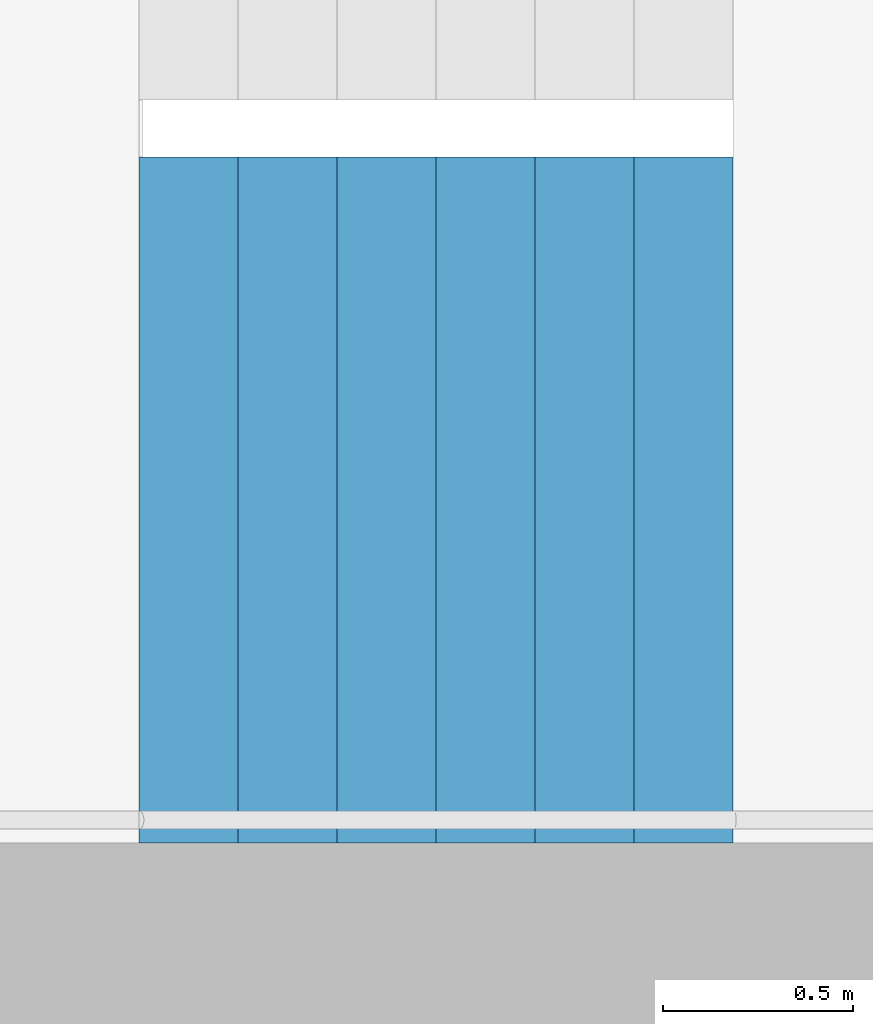
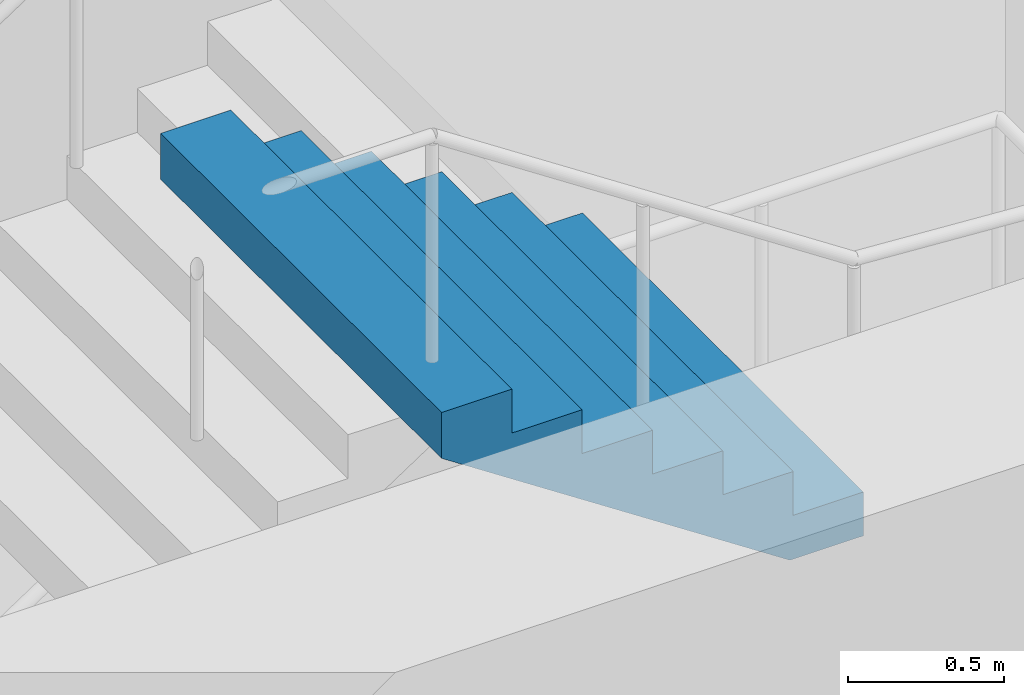
# One storey, part 36 of 53: 1 stair flight, 1 element without a shape of its own.
"""IFC4 building model written with IfcOpenShell, lengths in metres."""

from ifc_helpers import new_model, si_unit, direction, frame, origin, place, context, subcontext, project, spatial, triangles, material, type_object, element, aggregate, save


model = new_model("IFC4")

# Units and contexts
model_context = context("Model", 3, precision=1e-05, world=origin(), true_north=direction((0.0, 1.0)))
body_context = subcontext(model_context, "Body", "Model", "MODEL_VIEW")
ifc_project = project(units=[si_unit("LENGTHUNIT", "METRE"), si_unit("AREAUNIT", "SQUARE_METRE"), si_unit("VOLUMEUNIT", "CUBIC_METRE"), si_unit("PLANEANGLEUNIT", "RADIAN"), si_unit("MASSUNIT", "GRAM", prefix="KILO")], contexts=[model_context])

# Site, building, storey
site_placement = place(None, origin())
site = spatial("IfcSite", under=ifc_project, at=site_placement, CompositionType="ELEMENT")
building_placement = place(site_placement, origin())
building = spatial("IfcBuilding", under=site, at=building_placement, Name="Hakoniwa Tower and Hamabe Station Hall", CompositionType="ELEMENT")
storey_placement = place(building_placement, frame((0.0, 0.0, 15.0)))
storey = spatial("IfcBuildingStorey", under=building, at=storey_placement, Name="L03", CompositionType="ELEMENT", Elevation=15.0)

# Stair, stair flight
ifc_material_1 = material(Name="Concrete C40", Category="concrete")
stair_type = type_object("IfcStairType", Name="ESCAPE STAIR 1800", PredefinedType="HALF_TURN_STAIR", material=ifc_material_1)
stair_placement = place(storey_placement, origin())
stair = element("IfcStair", 1, at=stair_placement, inside=storey, type_object=stair_type, Name="Escape stair ST-4 L03", PredefinedType="HALF_TURN_STAIR")
ifc_material_2 = material(Name="Concrete C40", Category="concrete")
stair_flight_type = type_object("IfcStairFlightType", Name="STAIR FLIGHT 1800", PredefinedType="STRAIGHT", material=ifc_material_2)
stair_flight_placement = place(storey_placement, frame((24.9599609375, -6.60009765625, 3.60009765625), z_axis=(0.0, 0.0, 1.0), x_axis=(-1.0, 0.0, 0.0)))
stair_flight = element("IfcStairFlight", 2, at=stair_flight_placement, type_object=stair_flight_type, Name="ST-4 flight 4", NumberOfRisers=7, NumberOfTreads=6, PredefinedType="STRAIGHT", RiserHeight=0.171428571, TreadLength=0.26, context=body_context, shape_type="Tessellation", body=[
    triangles([(0.0, 0.89990234375, 0.0), (0.260009765625, 0.89990234375, 0.0), (0.272216796875, 0.89990234375, 0.0), (0.52001953125, 0.89990234375, 0.163330078125), (0.780029296875, 0.89990234375, 0.334716796875), (1.0400390625, 0.89990234375, 0.506103515625), (1.300048828125, 0.89990234375, 0.677490234375), (1.56005859375, 0.89990234375, 0.84912109375), (1.56005859375, 0.89990234375, 1.028564453125), (1.300048828125, 0.89990234375, 1.028564453125), (1.300048828125, 0.89990234375, 0.857177734375), (1.0400390625, 0.89990234375, 0.857177734375), (1.0400390625, 0.89990234375, 0.685791015625), (0.780029296875, 0.89990234375, 0.685791015625), (0.780029296875, 0.89990234375, 0.514404296875), (0.52001953125, 0.89990234375, 0.514404296875), (0.52001953125, 0.89990234375, 0.3427734375), (0.272216796875, 0.89990234375, 0.3427734375), (0.260009765625, 0.89990234375, 0.3427734375), (0.260009765625, 0.89990234375, 0.17138671875), (0.0, 0.89990234375, 0.17138671875), (0.0, 0.06005859375, 0.0), (0.260009765625, 0.06005859375, 0.0), (0.272216796875, 0.06005859375, 0.0), (0.52001953125, 0.06005859375, 0.163330078125), (0.780029296875, 0.06005859375, 0.334716796875), (1.0400390625, 0.06005859375, 0.506103515625), (1.300048828125, 0.06005859375, 0.677490234375), (1.56005859375, 0.06005859375, 0.84912109375), (1.56005859375, 0.06005859375, 1.028564453125), (1.300048828125, 0.06005859375, 1.028564453125), (1.300048828125, 0.06005859375, 0.857177734375), (1.0400390625, 0.06005859375, 0.857177734375), (1.0400390625, 0.06005859375, 0.685791015625), (0.780029296875, 0.06005859375, 0.685791015625), (0.780029296875, 0.06005859375, 0.514404296875), (0.52001953125, 0.06005859375, 0.514404296875), (0.52001953125, 0.06005859375, 0.3427734375), (0.272216796875, 0.06005859375, 0.3427734375), (0.260009765625, 0.06005859375, 0.3427734375), (0.260009765625, 0.06005859375, 0.17138671875), (0.0, 0.06005859375, 0.17138671875), (0.0, 0.049072265625, 0.0), (0.260009765625, 0.049072265625, 0.0), (0.272216796875, 0.049072265625, 0.0), (0.52001953125, 0.049072265625, 0.163330078125), (0.780029296875, 0.049072265625, 0.334716796875), (1.0400390625, 0.049072265625, 0.506103515625), (1.300048828125, 0.049072265625, 0.677490234375), (1.56005859375, 0.049072265625, 0.84912109375), (1.56005859375, 0.049072265625, 1.028564453125), (1.300048828125, 0.049072265625, 1.028564453125), (1.300048828125, 0.049072265625, 0.857177734375), (1.0400390625, 0.049072265625, 0.857177734375), (1.0400390625, 0.049072265625, 0.685791015625), (0.780029296875, 0.049072265625, 0.685791015625), (0.780029296875, 0.049072265625, 0.514404296875), (0.52001953125, 0.049072265625, 0.514404296875), (0.52001953125, 0.049072265625, 0.3427734375), (0.272216796875, 0.049072265625, 0.3427734375), (0.260009765625, 0.049072265625, 0.3427734375), (0.260009765625, 0.049072265625, 0.17138671875), (0.0, 0.049072265625, 0.17138671875), (0.0, 0.0380859375, 0.0), (0.260009765625, 0.0380859375, 0.0), (0.272216796875, 0.0380859375, 0.0), (0.52001953125, 0.0380859375, 0.163330078125), (0.780029296875, 0.0380859375, 0.334716796875), (1.0400390625, 0.0380859375, 0.506103515625), (1.300048828125, 0.0380859375, 0.677490234375), (1.56005859375, 0.0380859375, 0.84912109375), (1.56005859375, 0.0380859375, 1.028564453125), (1.300048828125, 0.0380859375, 1.028564453125), (1.300048828125, 0.0380859375, 0.857177734375), (1.0400390625, 0.0380859375, 0.857177734375), (1.0400390625, 0.0380859375, 0.685791015625), (0.780029296875, 0.0380859375, 0.685791015625), (0.780029296875, 0.0380859375, 0.514404296875), (0.52001953125, 0.0380859375, 0.514404296875), (0.52001953125, 0.0380859375, 0.3427734375), (0.272216796875, 0.0380859375, 0.3427734375), (0.260009765625, 0.0380859375, 0.3427734375), (0.260009765625, 0.0380859375, 0.17138671875), (0.0, 0.0380859375, 0.17138671875), (0.0, 0.02734375, 0.0), (0.260009765625, 0.02734375, 0.0), (0.272216796875, 0.02734375, 0.0), (0.52001953125, 0.02734375, 0.163330078125), (0.780029296875, 0.02734375, 0.334716796875), (1.0400390625, 0.02734375, 0.506103515625), (1.300048828125, 0.02734375, 0.677490234375), (1.56005859375, 0.02734375, 0.84912109375), (1.56005859375, 0.02734375, 1.028564453125), (1.300048828125, 0.02734375, 1.028564453125), (1.300048828125, 0.02734375, 0.857177734375), (1.0400390625, 0.02734375, 0.857177734375), (1.0400390625, 0.02734375, 0.685791015625), (0.780029296875, 0.02734375, 0.685791015625), (0.780029296875, 0.02734375, 0.514404296875), (0.52001953125, 0.02734375, 0.514404296875), (0.52001953125, 0.02734375, 0.3427734375), (0.272216796875, 0.02734375, 0.3427734375), (0.260009765625, 0.02734375, 0.3427734375), (0.260009765625, 0.02734375, 0.17138671875), (0.0, 0.02734375, 0.17138671875), (0.0, 0.016357421875, 0.0), (0.260009765625, 0.016357421875, 0.0), (0.272216796875, 0.016357421875, 0.0), (0.52001953125, 0.016357421875, 0.163330078125), (0.780029296875, 0.016357421875, 0.334716796875), (1.0400390625, 0.016357421875, 0.506103515625), (1.300048828125, 0.016357421875, 0.677490234375), (1.56005859375, 0.016357421875, 0.84912109375), (1.56005859375, 0.016357421875, 1.028564453125), (1.300048828125, 0.016357421875, 1.028564453125), (1.300048828125, 0.016357421875, 0.857177734375), (1.0400390625, 0.016357421875, 0.857177734375), (1.0400390625, 0.016357421875, 0.685791015625), (0.780029296875, 0.016357421875, 0.685791015625), (0.780029296875, 0.016357421875, 0.514404296875), (0.52001953125, 0.016357421875, 0.514404296875), (0.52001953125, 0.016357421875, 0.3427734375), (0.272216796875, 0.016357421875, 0.3427734375), (0.260009765625, 0.016357421875, 0.3427734375), (0.260009765625, 0.016357421875, 0.17138671875), (0.0, 0.016357421875, 0.17138671875), (0.0, 0.00537109375, 0.0), (0.260009765625, 0.00537109375, 0.0), (0.272216796875, 0.00537109375, 0.0), (0.52001953125, 0.00537109375, 0.163330078125), (0.780029296875, 0.00537109375, 0.334716796875), (1.0400390625, 0.00537109375, 0.506103515625), (1.300048828125, 0.00537109375, 0.677490234375), (1.56005859375, 0.00537109375, 0.84912109375), (1.56005859375, 0.00537109375, 1.028564453125), (1.300048828125, 0.00537109375, 1.028564453125), (1.300048828125, 0.00537109375, 0.857177734375), (1.0400390625, 0.00537109375, 0.857177734375), (1.0400390625, 0.00537109375, 0.685791015625), (0.780029296875, 0.00537109375, 0.685791015625), (0.780029296875, 0.00537109375, 0.514404296875), (0.52001953125, 0.00537109375, 0.514404296875), (0.52001953125, 0.00537109375, 0.3427734375), (0.272216796875, 0.00537109375, 0.3427734375), (0.260009765625, 0.00537109375, 0.3427734375), (0.260009765625, 0.00537109375, 0.17138671875), (0.0, 0.00537109375, 0.17138671875), (0.0, -0.00537109375, 0.0), (0.260009765625, -0.00537109375, 0.0), (0.272216796875, -0.00537109375, 0.0), (0.52001953125, -0.00537109375, 0.163330078125), (0.780029296875, -0.00537109375, 0.334716796875), (1.0400390625, -0.00537109375, 0.506103515625), (1.300048828125, -0.00537109375, 0.677490234375), (1.56005859375, -0.00537109375, 0.84912109375), (1.56005859375, -0.00537109375, 1.028564453125), (1.300048828125, -0.00537109375, 1.028564453125), (1.300048828125, -0.00537109375, 0.857177734375), (1.0400390625, -0.00537109375, 0.857177734375), (1.0400390625, -0.00537109375, 0.685791015625), (0.780029296875, -0.00537109375, 0.685791015625), (0.780029296875, -0.00537109375, 0.514404296875), (0.52001953125, -0.00537109375, 0.514404296875), (0.52001953125, -0.00537109375, 0.3427734375), (0.272216796875, -0.00537109375, 0.3427734375), (0.260009765625, -0.00537109375, 0.3427734375), (0.260009765625, -0.00537109375, 0.17138671875), (0.0, -0.00537109375, 0.17138671875), (0.0, -0.016357421875, 0.0), (0.260009765625, -0.016357421875, 0.0), (0.272216796875, -0.016357421875, 0.0), (0.52001953125, -0.016357421875, 0.163330078125), (0.780029296875, -0.016357421875, 0.334716796875), (1.0400390625, -0.016357421875, 0.506103515625), (1.300048828125, -0.016357421875, 0.677490234375), (1.56005859375, -0.016357421875, 0.84912109375), (1.56005859375, -0.016357421875, 1.028564453125), (1.300048828125, -0.016357421875, 1.028564453125), (1.300048828125, -0.016357421875, 0.857177734375), (1.0400390625, -0.016357421875, 0.857177734375), (1.0400390625, -0.016357421875, 0.685791015625), (0.780029296875, -0.016357421875, 0.685791015625), (0.780029296875, -0.016357421875, 0.514404296875), (0.52001953125, -0.016357421875, 0.514404296875), (0.52001953125, -0.016357421875, 0.3427734375), (0.272216796875, -0.016357421875, 0.3427734375), (0.260009765625, -0.016357421875, 0.3427734375), (0.260009765625, -0.016357421875, 0.17138671875), (0.0, -0.016357421875, 0.17138671875), (0.0, -0.02734375, 0.0), (0.260009765625, -0.02734375, 0.0), (0.272216796875, -0.02734375, 0.0), (0.52001953125, -0.02734375, 0.163330078125), (0.780029296875, -0.02734375, 0.334716796875), (1.0400390625, -0.02734375, 0.506103515625), (1.300048828125, -0.02734375, 0.677490234375), (1.56005859375, -0.02734375, 0.84912109375), (1.56005859375, -0.02734375, 1.028564453125), (1.300048828125, -0.02734375, 1.028564453125), (1.300048828125, -0.02734375, 0.857177734375), (1.0400390625, -0.02734375, 0.857177734375), (1.0400390625, -0.02734375, 0.685791015625), (0.780029296875, -0.02734375, 0.685791015625), (0.780029296875, -0.02734375, 0.514404296875), (0.52001953125, -0.02734375, 0.514404296875), (0.52001953125, -0.02734375, 0.3427734375), (0.272216796875, -0.02734375, 0.3427734375), (0.260009765625, -0.02734375, 0.3427734375), (0.260009765625, -0.02734375, 0.17138671875), (0.0, -0.02734375, 0.17138671875), (0.0, -0.0380859375, 0.0), (0.260009765625, -0.0380859375, 0.0), (0.272216796875, -0.0380859375, 0.0), (0.52001953125, -0.0380859375, 0.163330078125), (0.780029296875, -0.0380859375, 0.334716796875), (1.0400390625, -0.0380859375, 0.506103515625), (1.300048828125, -0.0380859375, 0.677490234375), (1.56005859375, -0.0380859375, 0.84912109375), (1.56005859375, -0.0380859375, 1.028564453125), (1.300048828125, -0.0380859375, 1.028564453125), (1.300048828125, -0.0380859375, 0.857177734375), (1.0400390625, -0.0380859375, 0.857177734375), (1.0400390625, -0.0380859375, 0.685791015625), (0.780029296875, -0.0380859375, 0.685791015625), (0.780029296875, -0.0380859375, 0.514404296875), (0.52001953125, -0.0380859375, 0.514404296875), (0.52001953125, -0.0380859375, 0.3427734375), (0.272216796875, -0.0380859375, 0.3427734375), (0.260009765625, -0.0380859375, 0.3427734375), (0.260009765625, -0.0380859375, 0.17138671875), (0.0, -0.0380859375, 0.17138671875), (0.0, -0.049072265625, 0.0), (0.260009765625, -0.049072265625, 0.0), (0.272216796875, -0.049072265625, 0.0), (0.52001953125, -0.049072265625, 0.163330078125), (0.780029296875, -0.049072265625, 0.334716796875), (1.0400390625, -0.049072265625, 0.506103515625), (1.300048828125, -0.049072265625, 0.677490234375), (1.56005859375, -0.049072265625, 0.84912109375), (1.56005859375, -0.049072265625, 1.028564453125), (1.300048828125, -0.049072265625, 1.028564453125), (1.300048828125, -0.049072265625, 0.857177734375), (1.0400390625, -0.049072265625, 0.857177734375), (1.0400390625, -0.049072265625, 0.685791015625), (0.780029296875, -0.049072265625, 0.685791015625), (0.780029296875, -0.049072265625, 0.514404296875), (0.52001953125, -0.049072265625, 0.514404296875), (0.52001953125, -0.049072265625, 0.3427734375), (0.272216796875, -0.049072265625, 0.3427734375), (0.260009765625, -0.049072265625, 0.3427734375), (0.260009765625, -0.049072265625, 0.17138671875), (0.0, -0.049072265625, 0.17138671875), (0.0, -0.06005859375, 0.0), (0.260009765625, -0.06005859375, 0.0), (0.272216796875, -0.06005859375, 0.0), (0.52001953125, -0.06005859375, 0.163330078125), (0.780029296875, -0.06005859375, 0.334716796875), (1.0400390625, -0.06005859375, 0.506103515625), (1.300048828125, -0.06005859375, 0.677490234375), (1.56005859375, -0.06005859375, 0.84912109375), (1.56005859375, -0.06005859375, 1.028564453125), (1.300048828125, -0.06005859375, 1.028564453125), (1.300048828125, -0.06005859375, 0.857177734375), (1.0400390625, -0.06005859375, 0.857177734375), (1.0400390625, -0.06005859375, 0.685791015625), (0.780029296875, -0.06005859375, 0.685791015625), (0.780029296875, -0.06005859375, 0.514404296875), (0.52001953125, -0.06005859375, 0.514404296875), (0.52001953125, -0.06005859375, 0.3427734375), (0.272216796875, -0.06005859375, 0.3427734375), (0.260009765625, -0.06005859375, 0.3427734375), (0.260009765625, -0.06005859375, 0.17138671875), (0.0, -0.06005859375, 0.17138671875), (0.0, -0.89990234375, 0.0), (0.260009765625, -0.89990234375, 0.0), (0.272216796875, -0.89990234375, 0.0), (0.52001953125, -0.89990234375, 0.163330078125), (0.780029296875, -0.89990234375, 0.334716796875), (1.0400390625, -0.89990234375, 0.506103515625), (1.300048828125, -0.89990234375, 0.677490234375), (1.56005859375, -0.89990234375, 0.84912109375), (1.56005859375, -0.89990234375, 1.028564453125), (1.300048828125, -0.89990234375, 1.028564453125), (1.300048828125, -0.89990234375, 0.857177734375), (1.0400390625, -0.89990234375, 0.857177734375), (1.0400390625, -0.89990234375, 0.685791015625), (0.780029296875, -0.89990234375, 0.685791015625), (0.780029296875, -0.89990234375, 0.514404296875), (0.52001953125, -0.89990234375, 0.514404296875), (0.52001953125, -0.89990234375, 0.3427734375), (0.272216796875, -0.89990234375, 0.3427734375), (0.260009765625, -0.89990234375, 0.3427734375), (0.260009765625, -0.89990234375, 0.17138671875), (0.0, -0.89990234375, 0.17138671875)], [[2, 21, 20], [275, 293, 294], [2, 1, 21], [275, 294, 274], [3, 19, 18], [276, 291, 292], [3, 20, 19], [276, 292, 293], [3, 2, 20], [276, 293, 275], [4, 18, 17], [277, 290, 291], [4, 3, 18], [277, 291, 276], [5, 16, 15], [278, 288, 289], [5, 17, 16], [278, 289, 290], [5, 4, 17], [278, 290, 277], [6, 14, 13], [279, 286, 287], [6, 15, 14], [279, 287, 288], [6, 5, 15], [279, 288, 278], [7, 12, 11], [280, 284, 285], [7, 13, 12], [280, 285, 286], [7, 6, 13], [280, 286, 279], [8, 10, 9], [281, 282, 283], [8, 11, 10], [281, 283, 284], [8, 7, 11], [281, 284, 280], [1, 2, 23], [1, 23, 22], [22, 23, 44], [22, 44, 43], [43, 44, 65], [43, 65, 64], [64, 65, 86], [64, 86, 85], [85, 86, 107], [85, 107, 106], [106, 107, 128], [106, 128, 127], [127, 128, 149], [127, 149, 148], [148, 149, 170], [148, 170, 169], [169, 170, 191], [169, 191, 190], [190, 191, 212], [190, 212, 211], [211, 212, 233], [211, 233, 232], [232, 233, 254], [232, 254, 253], [253, 254, 275], [253, 275, 274], [2, 3, 24], [2, 24, 23], [23, 24, 45], [23, 45, 44], [44, 45, 66], [44, 66, 65], [65, 66, 87], [65, 87, 86], [86, 87, 108], [86, 108, 107], [107, 108, 129], [107, 129, 128], [128, 129, 150], [128, 150, 149], [149, 150, 171], [149, 171, 170], [170, 171, 192], [170, 192, 191], [191, 192, 213], [191, 213, 212], [212, 213, 234], [212, 234, 233], [233, 234, 255], [233, 255, 254], [254, 255, 276], [254, 276, 275], [3, 4, 25], [3, 25, 24], [24, 25, 46], [24, 46, 45], [45, 46, 67], [45, 67, 66], [66, 67, 88], [66, 88, 87], [87, 88, 109], [87, 109, 108], [108, 109, 130], [108, 130, 129], [129, 130, 151], [129, 151, 150], [150, 151, 172], [150, 172, 171], [171, 172, 193], [171, 193, 192], [192, 193, 214], [192, 214, 213], [213, 214, 235], [213, 235, 234], [234, 235, 256], [234, 256, 255], [255, 256, 277], [255, 277, 276], [4, 5, 26], [4, 26, 25], [25, 26, 47], [25, 47, 46], [46, 47, 68], [46, 68, 67], [67, 68, 89], [67, 89, 88], [88, 89, 110], [88, 110, 109], [109, 110, 131], [109, 131, 130], [130, 131, 152], [130, 152, 151], [151, 152, 173], [151, 173, 172], [172, 173, 194], [172, 194, 193], [193, 194, 215], [193, 215, 214], [214, 215, 236], [214, 236, 235], [235, 236, 257], [235, 257, 256], [256, 257, 278], [256, 278, 277], [5, 6, 27], [5, 27, 26], [26, 27, 48], [26, 48, 47], [47, 48, 69], [47, 69, 68], [68, 69, 90], [68, 90, 89], [89, 90, 111], [89, 111, 110], [110, 111, 132], [110, 132, 131], [131, 132, 153], [131, 153, 152], [152, 153, 174], [152, 174, 173], [173, 174, 195], [173, 195, 194], [194, 195, 216], [194, 216, 215], [215, 216, 237], [215, 237, 236], [236, 237, 258], [236, 258, 257], [257, 258, 279], [257, 279, 278], [6, 7, 28], [6, 28, 27], [27, 28, 49], [27, 49, 48], [48, 49, 70], [48, 70, 69], [69, 70, 91], [69, 91, 90], [90, 91, 112], [90, 112, 111], [111, 112, 133], [111, 133, 132], [132, 133, 154], [132, 154, 153], [153, 154, 175], [153, 175, 174], [174, 175, 196], [174, 196, 195], [195, 196, 217], [195, 217, 216], [216, 217, 238], [216, 238, 237], [237, 238, 259], [237, 259, 258], [258, 259, 280], [258, 280, 279], [7, 8, 29], [7, 29, 28], [28, 29, 50], [28, 50, 49], [49, 50, 71], [49, 71, 70], [70, 71, 92], [70, 92, 91], [91, 92, 113], [91, 113, 112], [112, 113, 134], [112, 134, 133], [133, 134, 155], [133, 155, 154], [154, 155, 176], [154, 176, 175], [175, 176, 197], [175, 197, 196], [196, 197, 218], [196, 218, 217], [217, 218, 239], [217, 239, 238], [238, 239, 260], [238, 260, 259], [259, 260, 281], [259, 281, 280], [8, 9, 30], [8, 30, 29], [29, 30, 51], [29, 51, 50], [50, 51, 72], [50, 72, 71], [71, 72, 93], [71, 93, 92], [92, 93, 114], [92, 114, 113], [113, 114, 135], [113, 135, 134], [134, 135, 156], [134, 156, 155], [155, 156, 177], [155, 177, 176], [176, 177, 198], [176, 198, 197], [197, 198, 219], [197, 219, 218], [218, 219, 240], [218, 240, 239], [239, 240, 261], [239, 261, 260], [260, 261, 282], [260, 282, 281], [9, 10, 31], [9, 31, 30], [30, 31, 52], [30, 52, 51], [51, 52, 73], [51, 73, 72], [72, 73, 94], [72, 94, 93], [93, 94, 115], [93, 115, 114], [114, 115, 136], [114, 136, 135], [135, 136, 157], [135, 157, 156], [156, 157, 178], [156, 178, 177], [177, 178, 199], [177, 199, 198], [198, 199, 220], [198, 220, 219], [219, 220, 241], [219, 241, 240], [240, 241, 262], [240, 262, 261], [261, 262, 283], [261, 283, 282], [10, 11, 32], [10, 32, 31], [31, 32, 53], [31, 53, 52], [52, 53, 74], [52, 74, 73], [73, 74, 95], [73, 95, 94], [94, 95, 116], [94, 116, 115], [115, 116, 137], [115, 137, 136], [136, 137, 158], [136, 158, 157], [157, 158, 179], [157, 179, 178], [178, 179, 200], [178, 200, 199], [199, 200, 221], [199, 221, 220], [220, 221, 242], [220, 242, 241], [241, 242, 263], [241, 263, 262], [262, 263, 284], [262, 284, 283], [11, 12, 33], [11, 33, 32], [32, 33, 54], [32, 54, 53], [53, 54, 75], [53, 75, 74], [74, 75, 96], [74, 96, 95], [95, 96, 117], [95, 117, 116], [116, 117, 138], [116, 138, 137], [137, 138, 159], [137, 159, 158], [158, 159, 180], [158, 180, 179], [179, 180, 201], [179, 201, 200], [200, 201, 222], [200, 222, 221], [221, 222, 243], [221, 243, 242], [242, 243, 264], [242, 264, 263], [263, 264, 285], [263, 285, 284], [12, 13, 34], [12, 34, 33], [33, 34, 55], [33, 55, 54], [54, 55, 76], [54, 76, 75], [75, 76, 97], [75, 97, 96], [96, 97, 118], [96, 118, 117], [117, 118, 139], [117, 139, 138], [138, 139, 160], [138, 160, 159], [159, 160, 181], [159, 181, 180], [180, 181, 202], [180, 202, 201], [201, 202, 223], [201, 223, 222], [222, 223, 244], [222, 244, 243], [243, 244, 265], [243, 265, 264], [264, 265, 286], [264, 286, 285], [13, 14, 35], [13, 35, 34], [34, 35, 56], [34, 56, 55], [55, 56, 77], [55, 77, 76], [76, 77, 98], [76, 98, 97], [97, 98, 119], [97, 119, 118], [118, 119, 140], [118, 140, 139], [139, 140, 161], [139, 161, 160], [160, 161, 182], [160, 182, 181], [181, 182, 203], [181, 203, 202], [202, 203, 224], [202, 224, 223], [223, 224, 245], [223, 245, 244], [244, 245, 266], [244, 266, 265], [265, 266, 287], [265, 287, 286], [14, 15, 36], [14, 36, 35], [35, 36, 57], [35, 57, 56], [56, 57, 78], [56, 78, 77], [77, 78, 99], [77, 99, 98], [98, 99, 120], [98, 120, 119], [119, 120, 141], [119, 141, 140], [140, 141, 162], [140, 162, 161], [161, 162, 183], [161, 183, 182], [182, 183, 204], [182, 204, 203], [203, 204, 225], [203, 225, 224], [224, 225, 246], [224, 246, 245], [245, 246, 267], [245, 267, 266], [266, 267, 288], [266, 288, 287], [15, 16, 37], [15, 37, 36], [36, 37, 58], [36, 58, 57], [57, 58, 79], [57, 79, 78], [78, 79, 100], [78, 100, 99], [99, 100, 121], [99, 121, 120], [120, 121, 142], [120, 142, 141], [141, 142, 163], [141, 163, 162], [162, 163, 184], [162, 184, 183], [183, 184, 205], [183, 205, 204], [204, 205, 226], [204, 226, 225], [225, 226, 247], [225, 247, 246], [246, 247, 268], [246, 268, 267], [267, 268, 289], [267, 289, 288], [16, 17, 38], [16, 38, 37], [37, 38, 59], [37, 59, 58], [58, 59, 80], [58, 80, 79], [79, 80, 101], [79, 101, 100], [100, 101, 122], [100, 122, 121], [121, 122, 143], [121, 143, 142], [142, 143, 164], [142, 164, 163], [163, 164, 185], [163, 185, 184], [184, 185, 206], [184, 206, 205], [205, 206, 227], [205, 227, 226], [226, 227, 248], [226, 248, 247], [247, 248, 269], [247, 269, 268], [268, 269, 290], [268, 290, 289], [17, 18, 39], [17, 39, 38], [38, 39, 60], [38, 60, 59], [59, 60, 81], [59, 81, 80], [80, 81, 102], [80, 102, 101], [101, 102, 123], [101, 123, 122], [122, 123, 144], [122, 144, 143], [143, 144, 165], [143, 165, 164], [164, 165, 186], [164, 186, 185], [185, 186, 207], [185, 207, 206], [206, 207, 228], [206, 228, 227], [227, 228, 249], [227, 249, 248], [248, 249, 270], [248, 270, 269], [269, 270, 291], [269, 291, 290], [18, 19, 40], [18, 40, 39], [39, 40, 61], [39, 61, 60], [60, 61, 82], [60, 82, 81], [81, 82, 103], [81, 103, 102], [102, 103, 124], [102, 124, 123], [123, 124, 145], [123, 145, 144], [144, 145, 166], [144, 166, 165], [165, 166, 187], [165, 187, 186], [186, 187, 208], [186, 208, 207], [207, 208, 229], [207, 229, 228], [228, 229, 250], [228, 250, 249], [249, 250, 271], [249, 271, 270], [270, 271, 292], [270, 292, 291], [19, 20, 41], [19, 41, 40], [40, 41, 62], [40, 62, 61], [61, 62, 83], [61, 83, 82], [82, 83, 104], [82, 104, 103], [103, 104, 125], [103, 125, 124], [124, 125, 146], [124, 146, 145], [145, 146, 167], [145, 167, 166], [166, 167, 188], [166, 188, 187], [187, 188, 209], [187, 209, 208], [208, 209, 230], [208, 230, 229], [229, 230, 251], [229, 251, 250], [250, 251, 272], [250, 272, 271], [271, 272, 293], [271, 293, 292], [20, 21, 42], [20, 42, 41], [41, 42, 63], [41, 63, 62], [62, 63, 84], [62, 84, 83], [83, 84, 105], [83, 105, 104], [104, 105, 126], [104, 126, 125], [125, 126, 147], [125, 147, 146], [146, 147, 168], [146, 168, 167], [167, 168, 189], [167, 189, 188], [188, 189, 210], [188, 210, 209], [209, 210, 231], [209, 231, 230], [230, 231, 252], [230, 252, 251], [251, 252, 273], [251, 273, 272], [272, 273, 294], [272, 294, 293], [21, 1, 22], [21, 22, 42], [42, 22, 43], [42, 43, 63], [63, 43, 64], [63, 64, 84], [84, 64, 85], [84, 85, 105], [105, 85, 106], [105, 106, 126], [126, 106, 127], [126, 127, 147], [147, 127, 148], [147, 148, 168], [168, 148, 169], [168, 169, 189], [189, 169, 190], [189, 190, 210], [210, 190, 211], [210, 211, 231], [231, 211, 232], [231, 232, 252], [252, 232, 253], [252, 253, 273], [273, 253, 274], [273, 274, 294]], closed=True),
])
aggregate(stair, [stair_flight])

save(model, "model.ifc")
